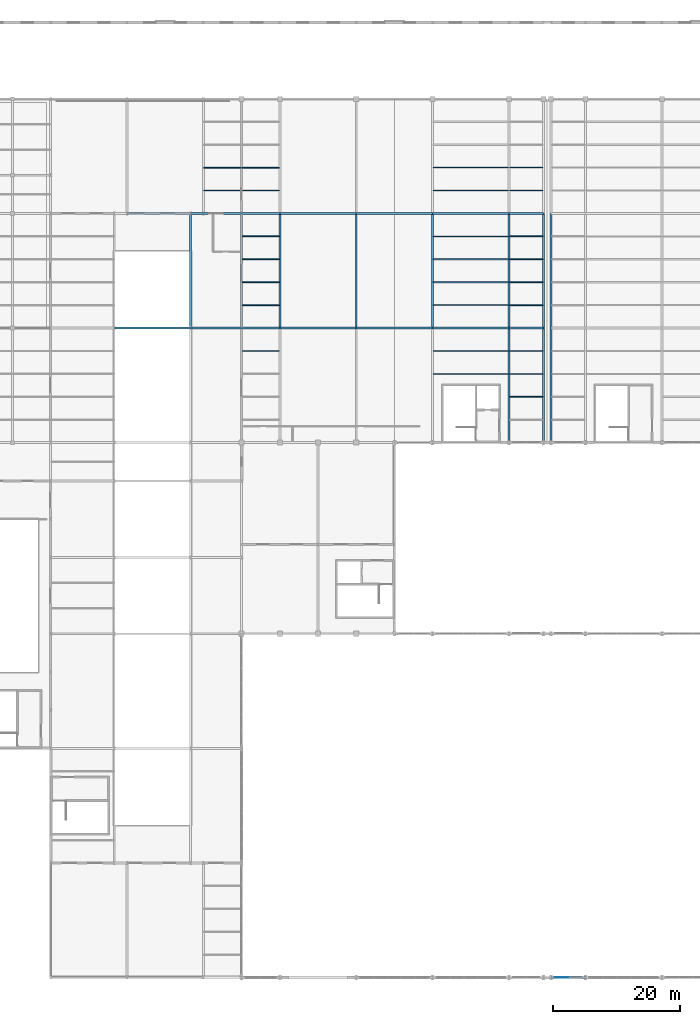
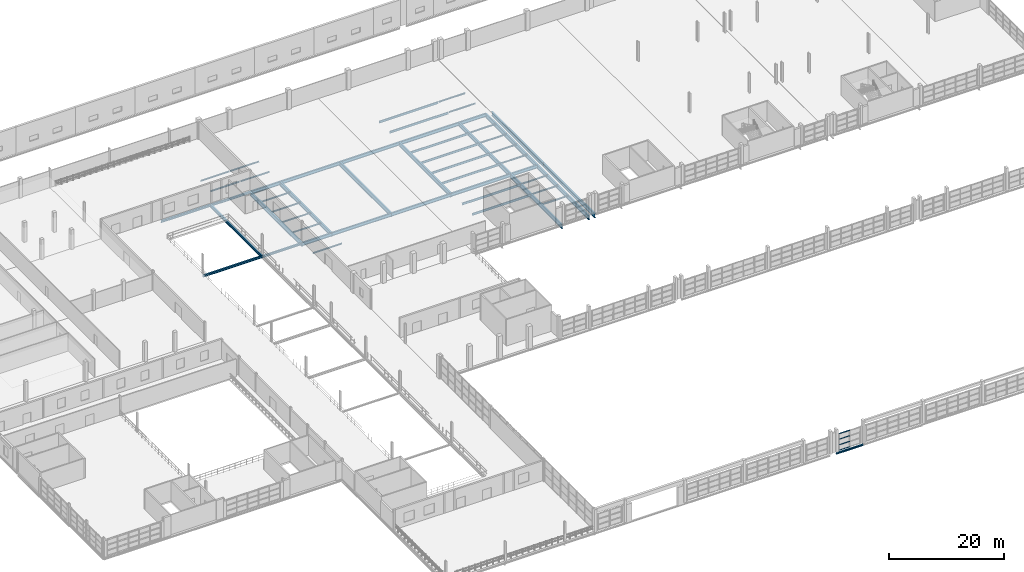
# One storey, part 69 of 147: 53 beams, 4 members, 1 element without a shape of its own.
"""IFC4 building model written with IfcOpenShell, lengths in metres."""

from ifc_helpers import new_model, si_unit, direction, frame, origin, origin_2d, place, context, subcontext, project, spatial, hollow_rectangle, i_section, extrude, material, layer, layer_set, material_profile, profile_set, type_object, element, aggregate, save


model = new_model("IFC4")

# Units and contexts
model_context = context("Model", 3, precision=1e-05, world=origin(), true_north=direction((0.0, 1.0)))
body_context = subcontext(model_context, "Body", "Model", "MODEL_VIEW")
ifc_project = project(units=[si_unit("LENGTHUNIT", "METRE"), si_unit("AREAUNIT", "SQUARE_METRE"), si_unit("VOLUMEUNIT", "CUBIC_METRE"), si_unit("PLANEANGLEUNIT", "RADIAN"), si_unit("MASSUNIT", "GRAM", prefix="KILO")], contexts=[model_context])

# Site, building, storey
site_placement = place(None, origin())
site = spatial("IfcSite", under=ifc_project, at=site_placement, CompositionType="ELEMENT")
building_placement = place(site_placement, origin())
building = spatial("IfcBuilding", under=site, at=building_placement, Name="Zilviju Railside Exhibition Hall", CompositionType="ELEMENT")
storey_placement = place(building_placement, frame((0.0, 0.0, 8.39990234375)))
storey = spatial("IfcBuildingStorey", under=building, at=storey_placement, Name="L03", CompositionType="ELEMENT", Elevation=8.39990234375)

# Beams
ifc_material_1 = material(Name="Steel S355J2", Category="steel")
ifc_material_profile_1 = material_profile(ifc_material_1, i_section(OverallWidth=0.300048828125, OverallDepth=0.2900390625, WebThickness=0.008544921875, FlangeThickness=0.013916015625, at=origin_2d()), Name="HEA 300")
ifc_profile_set_1 = profile_set([ifc_material_profile_1], Name="Steel S355J2")
beam_type_1 = type_object("IfcBeamType", Name="BM-HEA300", PredefinedType="SPANDREL", material=ifc_profile_set_1)
beam_1_placement = place(storey_placement, frame((126.60009765625, 0.0, -0.48486328125), z_axis=(1.0, 0.0, 0.0), x_axis=(0.0, 1.0, 0.0)))
element("IfcBeam", 1, at=beam_1_placement, inside=storey, type_object=beam_type_1, Name="Primary Girder L03 Y=0.0 (126.6..132.0)", PredefinedType="SPANDREL", context=body_context, shape_type="SweptSolid", body=[
    extrude(i_section(OverallWidth=0.300048828125, OverallDepth=0.2900390625, WebThickness=0.008544921875, FlangeThickness=0.013916015625, at=origin_2d()), origin(), (0.0, 0.0, 1.0), 5.39990234375),
])
ifc_material_profile_2 = material_profile(ifc_material_1, i_section(OverallWidth=0.300048828125, OverallDepth=0.449951171875, WebThickness=0.013916015625, FlangeThickness=0.02587890625, at=origin_2d()), Name="HEB 450")
ifc_profile_set_2 = profile_set([ifc_material_profile_2], Name="Steel S355J2")
beam_type_2 = type_object("IfcBeamType", Name="BM-HEB450", PredefinedType="BEAM", material=ifc_profile_set_2)
beam_2_placement = place(storey_placement, frame((58.0, 102.0, -0.574951171875), z_axis=(1.0, 0.0, 0.0), x_axis=(0.0, 1.0, 0.0)))
element("IfcBeam", 2, at=beam_2_placement, inside=storey, type_object=beam_type_2, Name="Primary Girder L03 Y=102.0 (58.0..70.0)", PredefinedType="BEAM", context=body_context, shape_type="SweptSolid", body=[
    extrude(i_section(OverallWidth=0.300048828125, OverallDepth=0.449951171875, WebThickness=0.013916015625, FlangeThickness=0.02587890625, at=origin_2d()), origin(), (0.0, 0.0, 1.0), 12.0),
])
beam_3_placement = place(storey_placement, frame((70.0, 102.0, -0.60498046875), z_axis=(1.0, 0.0, 0.0), x_axis=(0.0, 1.0, 0.0)))
element("IfcBeam", 3, at=beam_3_placement, inside=storey, type_object=beam_type_2, Name="Primary Girder L03 Y=102.0 (70.0..78.0)", PredefinedType="BEAM", context=body_context, shape_type="SweptSolid", body=[
    extrude(i_section(OverallWidth=0.300048828125, OverallDepth=0.449951171875, WebThickness=0.013916015625, FlangeThickness=0.02587890625, at=origin_2d()), origin(), (0.0, 0.0, 1.0), 8.0),
])
beam_4_placement = place(storey_placement, frame((60.0, 120.0, -0.574951171875), z_axis=(1.0, 0.0, 0.0), x_axis=(0.0, 1.0, 0.0)))
element("IfcBeam", 4, at=beam_4_placement, inside=storey, type_object=beam_type_2, Name="Primary Girder L03 Y=120.0 (60.0..70.0)", PredefinedType="BEAM", context=body_context, shape_type="SweptSolid", body=[
    extrude(i_section(OverallWidth=0.300048828125, OverallDepth=0.449951171875, WebThickness=0.013916015625, FlangeThickness=0.02587890625, at=origin_2d()), origin(), (0.0, 0.0, 1.0), 10.0),
])
beam_5_placement = place(storey_placement, frame((70.0, 120.0, -0.574951171875), z_axis=(1.0, 0.0, 0.0), x_axis=(0.0, 1.0, 0.0)))
element("IfcBeam", 5, at=beam_5_placement, inside=storey, type_object=beam_type_2, Name="Primary Girder L03 Y=120.0 (70.0..72.0)", PredefinedType="BEAM", context=body_context, shape_type="SweptSolid", body=[
    extrude(i_section(OverallWidth=0.300048828125, OverallDepth=0.449951171875, WebThickness=0.013916015625, FlangeThickness=0.02587890625, at=origin_2d()), origin(), (0.0, 0.0, 1.0), 2.0),
])
beam_6_placement = place(storey_placement, frame((72.0, 120.0, -0.60498046875), z_axis=(1.0, 0.0, 0.0), x_axis=(0.0, 1.0, 0.0)))
element("IfcBeam", 6, at=beam_6_placement, inside=storey, type_object=beam_type_2, Name="Primary Girder L03 Y=120.0 (72.0..78.0)", PredefinedType="BEAM", context=body_context, shape_type="SweptSolid", body=[
    extrude(i_section(OverallWidth=0.300048828125, OverallDepth=0.449951171875, WebThickness=0.013916015625, FlangeThickness=0.02587890625, at=origin_2d()), origin(), (0.0, 0.0, 1.0), 6.0),
])
ifc_material_profile_3 = material_profile(ifc_material_1, i_section(OverallWidth=0.300048828125, OverallDepth=0.60009765625, WebThickness=0.015380859375, FlangeThickness=0.030029296875, at=origin_2d()), Name="HEB 600")
ifc_profile_set_3 = profile_set([ifc_material_profile_3], Name="Steel S355J2")
beam_type_3 = type_object("IfcBeamType", Name="BM-HEB600", PredefinedType="BEAM", material=ifc_profile_set_3)
beam_7_placement = place(storey_placement, frame((70.0, 102.0, -0.64990234375), z_axis=(0.0, 1.0, 0.0), x_axis=(-1.0, 0.0, 0.0)))
element("IfcBeam", 7, at=beam_7_placement, inside=storey, type_object=beam_type_3, Name="Transverse Girder L03 X=70.0 (102.0..120.0)", PredefinedType="BEAM", context=body_context, shape_type="SweptSolid", body=[
    extrude(i_section(OverallWidth=0.300048828125, OverallDepth=0.60009765625, WebThickness=0.015380859375, FlangeThickness=0.030029296875, at=origin_2d()), origin(), (0.0, 0.0, 1.0), 18.0),
])
ifc_material_profile_4 = material_profile(ifc_material_1, i_section(OverallWidth=0.300048828125, OverallDepth=0.699951171875, WebThickness=0.01708984375, FlangeThickness=0.031982421875, at=origin_2d()), Name="HEB 700")
ifc_profile_set_4 = profile_set([ifc_material_profile_4], Name="Steel S355J2")
beam_type_4 = type_object("IfcBeamType", Name="BM-HEB700", PredefinedType="BEAM", material=ifc_profile_set_4)
beam_8_placement = place(storey_placement, frame((78.0, 102.0, -0.72998046875), z_axis=(1.0, 0.0, 0.0), x_axis=(0.0, 1.0, 0.0)))
element("IfcBeam", 8, at=beam_8_placement, inside=storey, type_object=beam_type_4, Name="Primary Girder L03 Y=102.0 (78.0..84.0)", PredefinedType="BEAM", context=body_context, shape_type="SweptSolid", body=[
    extrude(i_section(OverallWidth=0.300048828125, OverallDepth=0.699951171875, WebThickness=0.01708984375, FlangeThickness=0.031982421875, at=origin_2d()), origin(), (0.0, 0.0, 1.0), 6.0),
])
for number, where, z_axis, x_axis, name in (
    (9, (84.0, 102.0, -0.72998046875), (1.0, 0.0, 0.0), (0.0, 1.0, 0.0), "Primary Girder L03 Y=102.0 (84.0..96.0)"),
    (10, (96.0, 102.0, -0.72998046875), (1.0, 0.0, 0.0), (0.0, 1.0, 0.0), "Primary Girder L03 Y=102.0 (96.0..108.0)"),
    (11, (108.0, 102.0, -0.72998046875), (1.0, 0.0, 0.0), (0.0, 1.0, 0.0), "Primary Girder L03 Y=102.0 (108.0..120.0)"),
):
    element("IfcBeam", number, at=place(storey_placement, frame(where, z_axis=z_axis, x_axis=x_axis)), inside=storey, type_object=beam_type_4, Name=name, PredefinedType="BEAM", context=body_context, shape_type="SweptSolid", body=[
        extrude(i_section(OverallWidth=0.300048828125, OverallDepth=0.699951171875, WebThickness=0.01708984375, FlangeThickness=0.031982421875, at=origin_2d()), origin(), (0.0, 0.0, 1.0), 12.0),
    ])
beam_9_placement = place(storey_placement, frame((120.0, 102.0, -0.72998046875), z_axis=(1.0, 0.0, 0.0), x_axis=(0.0, 1.0, 0.0)))
element("IfcBeam", 12, at=beam_9_placement, inside=storey, type_object=beam_type_4, Name="Primary Girder L03 Y=102.0 (120.0..125.4)", PredefinedType="BEAM", context=body_context, shape_type="SweptSolid", body=[
    extrude(i_section(OverallWidth=0.300048828125, OverallDepth=0.699951171875, WebThickness=0.01708984375, FlangeThickness=0.031982421875, at=origin_2d()), origin(), (0.0, 0.0, 1.0), 5.39990234375),
])
beam_10_placement = place(storey_placement, frame((78.0, 120.0, -0.72998046875), z_axis=(1.0, 0.0, 0.0), x_axis=(0.0, 1.0, 0.0)))
element("IfcBeam", 13, at=beam_10_placement, inside=storey, type_object=beam_type_4, Name="Primary Girder L03 Y=120.0 (78.0..84.0)", PredefinedType="BEAM", context=body_context, shape_type="SweptSolid", body=[
    extrude(i_section(OverallWidth=0.300048828125, OverallDepth=0.699951171875, WebThickness=0.01708984375, FlangeThickness=0.031982421875, at=origin_2d()), origin(), (0.0, 0.0, 1.0), 6.0),
])
for number, where, z_axis, x_axis, name in (
    (14, (84.0, 120.0, -0.72998046875), (1.0, 0.0, 0.0), (0.0, 1.0, 0.0), "Primary Girder L03 Y=120.0 (84.0..96.0)"),
    (15, (96.0, 120.0, -0.72998046875), (1.0, 0.0, 0.0), (0.0, 1.0, 0.0), "Primary Girder L03 Y=120.0 (96.0..108.0)"),
    (16, (108.0, 120.0, -0.72998046875), (1.0, 0.0, 0.0), (0.0, 1.0, 0.0), "Primary Girder L03 Y=120.0 (108.0..120.0)"),
):
    element("IfcBeam", number, at=place(storey_placement, frame(where, z_axis=z_axis, x_axis=x_axis)), inside=storey, type_object=beam_type_4, Name=name, PredefinedType="BEAM", context=body_context, shape_type="SweptSolid", body=[
        extrude(i_section(OverallWidth=0.300048828125, OverallDepth=0.699951171875, WebThickness=0.01708984375, FlangeThickness=0.031982421875, at=origin_2d()), origin(), (0.0, 0.0, 1.0), 12.0),
    ])
beam_11_placement = place(storey_placement, frame((120.0, 120.0, -0.72998046875), z_axis=(1.0, 0.0, 0.0), x_axis=(0.0, 1.0, 0.0)))
element("IfcBeam", 17, at=beam_11_placement, inside=storey, type_object=beam_type_4, Name="Primary Girder L03 Y=120.0 (120.0..125.4)", PredefinedType="BEAM", context=body_context, shape_type="SweptSolid", body=[
    extrude(i_section(OverallWidth=0.300048828125, OverallDepth=0.699951171875, WebThickness=0.01708984375, FlangeThickness=0.031982421875, at=origin_2d()), origin(), (0.0, 0.0, 1.0), 5.39990234375),
])
ifc_material_profile_5 = material_profile(ifc_material_1, i_section(OverallWidth=0.300048828125, OverallDepth=0.89990234375, WebThickness=0.0185546875, FlangeThickness=0.034912109375, at=origin_2d()), Name="HEB 900")
ifc_profile_set_5 = profile_set([ifc_material_profile_5], Name="Steel S355J2")
beam_type_5 = type_object("IfcBeamType", Name="BM-HEB900", PredefinedType="BEAM", material=ifc_profile_set_5)
for number, where, z_axis, x_axis, name in (
    (18, (78.0, 102.0, -0.829833984375), (0.0, 1.0, 0.0), (-1.0, 0.0, 0.0), "Transverse Girder L03 X=78.0 (102.0..120.0)"),
    (19, (84.0, 102.0, -0.829833984375), (0.0, 1.0, 0.0), (-1.0, 0.0, 0.0), "Transverse Girder L03 X=84.0 (102.0..120.0)"),
    (20, (96.0, 102.0, -0.829833984375), (0.0, 1.0, 0.0), (-1.0, 0.0, 0.0), "Transverse Girder L03 X=96.0 (102.0..120.0)"),
    (21, (108.0, 102.0, -0.829833984375), (0.0, 1.0, 0.0), (-1.0, 0.0, 0.0), "Transverse Girder L03 X=108.0 (102.0..120.0)"),
    (22, (120.0, 84.0, -0.829833984375), (0.0, 1.0, 0.0), (-1.0, 0.0, 0.0), "Transverse Girder L03 X=120.0 (84.0..102.0)"),
    (23, (120.0, 102.0, -0.829833984375), (0.0, 1.0, 0.0), (-1.0, 0.0, 0.0), "Transverse Girder L03 X=120.0 (102.0..120.0)"),
    (24, (125.39990234375, 84.0, -0.829833984375), (0.0, 1.0, 0.0), (-1.0, 0.0, 0.0), "Transverse Girder L03 X=125.4 (84.0..102.0)"),
    (25, (125.39990234375, 102.0, -0.829833984375), (0.0, 1.0, 0.0), (-1.0, 0.0, 0.0), "Transverse Girder L03 X=125.4 (102.0..120.0)"),
    (26, (126.60009765625, 84.0, -0.829833984375), (0.0, 1.0, 0.0), (-1.0, 0.0, 0.0), "Transverse Girder L03 X=126.6 (84.0..102.0)"),
    (27, (126.60009765625, 102.0, -0.829833984375), (0.0, 1.0, 0.0), (-1.0, 0.0, 0.0), "Transverse Girder L03 X=126.6 (102.0..120.0)"),
):
    element("IfcBeam", number, at=place(storey_placement, frame(where, z_axis=z_axis, x_axis=x_axis)), inside=storey, type_object=beam_type_5, Name=name, PredefinedType="BEAM", context=body_context, shape_type="SweptSolid", body=[
        extrude(i_section(OverallWidth=0.300048828125, OverallDepth=0.89990234375, WebThickness=0.0185546875, FlangeThickness=0.034912109375, at=origin_2d()), origin(), (0.0, 0.0, 1.0), 18.0),
    ])
ifc_material_profile_6 = material_profile(ifc_material_1, i_section(OverallWidth=0.1201171875, OverallDepth=0.239990234375, WebThickness=0.006103515625, FlangeThickness=0.009765625, at=origin_2d()), Name="IPE 240")
ifc_profile_set_6 = profile_set([ifc_material_profile_6], Name="Steel S355J2")
beam_type_6 = type_object("IfcBeamType", Name="BM-IPE240", PredefinedType="JOIST", material=ifc_profile_set_6)
for number, where, z_axis, x_axis, name in (
    (28, (120.080078125, 91.199951171875, -0.5), (1.0, 0.0, 0.0), (0.0, 1.0, 0.0), "Composite Floor Joist L03 Y=91.20 (120.0..125.4)"),
    (29, (120.080078125, 94.800048828125, -0.5), (1.0, 0.0, 0.0), (0.0, 1.0, 0.0), "Composite Floor Joist L03 Y=94.80 (120.0..125.4)"),
    (30, (120.080078125, 98.39990234375, -0.5), (1.0, 0.0, 0.0), (0.0, 1.0, 0.0), "Composite Floor Joist L03 Y=98.40 (120.0..125.4)"),
    (31, (120.080078125, 105.60009765625, -0.5), (1.0, 0.0, 0.0), (0.0, 1.0, 0.0), "Composite Floor Joist L03 Y=105.60 (120.0..125.4)"),
    (32, (120.080078125, 109.199951171875, -0.5), (1.0, 0.0, 0.0), (0.0, 1.0, 0.0), "Composite Floor Joist L03 Y=109.20 (120.0..125.4)"),
    (33, (120.080078125, 112.800048828125, -0.5), (1.0, 0.0, 0.0), (0.0, 1.0, 0.0), "Composite Floor Joist L03 Y=112.80 (120.0..125.4)"),
    (34, (120.080078125, 116.39990234375, -0.5), (1.0, 0.0, 0.0), (0.0, 1.0, 0.0), "Composite Floor Joist L03 Y=116.40 (120.0..125.4)"),
    (35, (120.080078125, 123.60009765625, -0.5), (1.0, 0.0, 0.0), (0.0, 1.0, 0.0), "Composite Floor Joist L03 Y=123.60 (120.0..125.4)"),
    (36, (120.080078125, 127.199951171875, -0.5), (1.0, 0.0, 0.0), (0.0, 1.0, 0.0), "Composite Floor Joist L03 Y=127.20 (120.0..125.4)"),
):
    element("IfcBeam", number, at=place(storey_placement, frame(where, z_axis=z_axis, x_axis=x_axis)), inside=storey, type_object=beam_type_6, Name=name, PredefinedType="JOIST", context=body_context, shape_type="SweptSolid", body=[
        extrude(i_section(OverallWidth=0.1201171875, OverallDepth=0.239990234375, WebThickness=0.006103515625, FlangeThickness=0.009765625, at=origin_2d()), origin(), (0.0, 0.0, 1.0), 5.239990234375),
    ])
ifc_material_profile_7 = material_profile(ifc_material_1, i_section(OverallWidth=0.14990234375, OverallDepth=0.300048828125, WebThickness=0.007080078125, FlangeThickness=0.0107421875, at=origin_2d()), Name="IPE 300")
ifc_profile_set_7 = profile_set([ifc_material_profile_7], Name="Steel S355J2")
beam_type_7 = type_object("IfcBeamType", Name="BM-IPE300", PredefinedType="JOIST", material=ifc_profile_set_7)
for number, where, z_axis, x_axis, name in (
    (37, (72.080078125, 123.60009765625, -0.52978515625), (1.0, 0.0, 0.0), (0.0, 1.0, 0.0), "Composite Floor Joist L03 Y=123.60 (72.0..78.0)"),
    (38, (72.080078125, 127.199951171875, -0.52978515625), (1.0, 0.0, 0.0), (0.0, 1.0, 0.0), "Composite Floor Joist L03 Y=127.20 (72.0..78.0)"),
    (39, (78.080078125, 98.39990234375, -0.52978515625), (1.0, 0.0, 0.0), (0.0, 1.0, 0.0), "Composite Floor Joist L03 Y=98.40 (78.0..84.0)"),
    (40, (78.080078125, 105.60009765625, -0.52978515625), (1.0, 0.0, 0.0), (0.0, 1.0, 0.0), "Composite Floor Joist L03 Y=105.60 (78.0..84.0)"),
    (41, (78.080078125, 109.199951171875, -0.52978515625), (1.0, 0.0, 0.0), (0.0, 1.0, 0.0), "Composite Floor Joist L03 Y=109.20 (78.0..84.0)"),
    (42, (78.080078125, 112.800048828125, -0.52978515625), (1.0, 0.0, 0.0), (0.0, 1.0, 0.0), "Composite Floor Joist L03 Y=112.80 (78.0..84.0)"),
    (43, (78.080078125, 116.39990234375, -0.52978515625), (1.0, 0.0, 0.0), (0.0, 1.0, 0.0), "Composite Floor Joist L03 Y=116.40 (78.0..84.0)"),
    (44, (78.080078125, 123.60009765625, -0.52978515625), (1.0, 0.0, 0.0), (0.0, 1.0, 0.0), "Composite Floor Joist L03 Y=123.60 (78.0..84.0)"),
    (45, (78.080078125, 127.199951171875, -0.52978515625), (1.0, 0.0, 0.0), (0.0, 1.0, 0.0), "Composite Floor Joist L03 Y=127.20 (78.0..84.0)"),
):
    element("IfcBeam", number, at=place(storey_placement, frame(where, z_axis=z_axis, x_axis=x_axis)), inside=storey, type_object=beam_type_7, Name=name, PredefinedType="JOIST", context=body_context, shape_type="SweptSolid", body=[
        extrude(i_section(OverallWidth=0.14990234375, OverallDepth=0.300048828125, WebThickness=0.007080078125, FlangeThickness=0.0107421875, at=origin_2d()), origin(), (0.0, 0.0, 1.0), 5.83984375),
    ])
ifc_material_profile_8 = material_profile(ifc_material_1, i_section(OverallWidth=0.18994140625, OverallDepth=0.449951171875, WebThickness=0.009521484375, FlangeThickness=0.0146484375, at=origin_2d()), Name="IPE 450")
ifc_profile_set_8 = profile_set([ifc_material_profile_8], Name="Steel S355J2")
beam_type_8 = type_object("IfcBeamType", Name="BM-IPE450", PredefinedType="JOIST", material=ifc_profile_set_8)
for number, where, z_axis, x_axis, name in (
    (46, (108.080078125, 94.800048828125, -0.60498046875), (1.0, 0.0, 0.0), (0.0, 1.0, 0.0), "Composite Floor Joist L03 Y=94.80 (108.0..120.0)"),
    (47, (108.080078125, 98.39990234375, -0.60498046875), (1.0, 0.0, 0.0), (0.0, 1.0, 0.0), "Composite Floor Joist L03 Y=98.40 (108.0..120.0)"),
    (48, (108.080078125, 105.60009765625, -0.60498046875), (1.0, 0.0, 0.0), (0.0, 1.0, 0.0), "Composite Floor Joist L03 Y=105.60 (108.0..120.0)"),
    (49, (108.080078125, 109.199951171875, -0.60498046875), (1.0, 0.0, 0.0), (0.0, 1.0, 0.0), "Composite Floor Joist L03 Y=109.20 (108.0..120.0)"),
    (50, (108.080078125, 112.800048828125, -0.60498046875), (1.0, 0.0, 0.0), (0.0, 1.0, 0.0), "Composite Floor Joist L03 Y=112.80 (108.0..120.0)"),
    (51, (108.080078125, 116.39990234375, -0.60498046875), (1.0, 0.0, 0.0), (0.0, 1.0, 0.0), "Composite Floor Joist L03 Y=116.40 (108.0..120.0)"),
    (52, (108.080078125, 123.60009765625, -0.60498046875), (1.0, 0.0, 0.0), (0.0, 1.0, 0.0), "Composite Floor Joist L03 Y=123.60 (108.0..120.0)"),
    (53, (108.080078125, 127.199951171875, -0.60498046875), (1.0, 0.0, 0.0), (0.0, 1.0, 0.0), "Composite Floor Joist L03 Y=127.20 (108.0..120.0)"),
):
    element("IfcBeam", number, at=place(storey_placement, frame(where, z_axis=z_axis, x_axis=x_axis)), inside=storey, type_object=beam_type_8, Name=name, PredefinedType="JOIST", context=body_context, shape_type="SweptSolid", body=[
        extrude(i_section(OverallWidth=0.18994140625, OverallDepth=0.449951171875, WebThickness=0.009521484375, FlangeThickness=0.0146484375, at=origin_2d()), origin(), (0.0, 0.0, 1.0), 11.83984375),
    ])

# Curtain wall, members
ifc_material_2 = material(Name="Thermally broken aluminium-steel triple-glazed curtain wall", Category="steel")
ifc_layer = layer(ifc_material_2, 0.179931640625)
ifc_layer_set = layer_set([ifc_layer], Name="Thermally broken aluminium-steel triple-glazed curtain wall")
curtain_wall_type = type_object("IfcCurtainWallType", Name="CW-BAY-16", PredefinedType="USERDEFINED", material=ifc_layer_set)
curtain_wall_placement = place(storey_placement, origin())
curtain_wall = element("IfcCurtainWall", 54, at=curtain_wall_placement, inside=storey, type_object=curtain_wall_type, Name="South Hall Facade Curtain Wall L03 (127..132)", ObjectType="GLAZED CURTAIN WALL", PredefinedType="USERDEFINED")
ifc_material_3 = material(Name="Thermally broken anodized aluminium transom", Category="aluminium")
ifc_material_profile_9 = material_profile(ifc_material_3, hollow_rectangle(XDim=0.054931640625, YDim=0.10498046875, WallThickness=0.0048828125, at=origin_2d()), Name="TRANSOM 105x55x5")
ifc_profile_set_9 = profile_set([ifc_material_profile_9], Name="Thermally broken anodized aluminium transom")
member_type = type_object("IfcMemberType", Name="CWT-55x105", PredefinedType="USERDEFINED", material=ifc_profile_set_9)
member_1_placement = place(storey_placement, frame((129.2724609375, 0.0, 0.027587890625), z_axis=(-1.0, 0.0, 0.0), x_axis=(0.0, -1.0, 0.0)))
member_1 = element("IfcMember", 55, at=member_1_placement, type_object=member_type, Name="CW-16 transom 2.1", ObjectType="TRANSOM", PredefinedType="USERDEFINED", context=body_context, shape_type="SweptSolid", body=[
    extrude(hollow_rectangle(XDim=0.054931640625, YDim=0.10498046875, WallThickness=0.0048828125, at=origin_2d()), origin(), (0.0, 0.0, 1.0), 2.0673828125),
])
member_2_placement = place(storey_placement, frame((129.2724609375, 0.0, 1.18701171875), z_axis=(-1.0, 0.0, 0.0), x_axis=(0.0, -1.0, 0.0)))
member_2 = element("IfcMember", 56, at=member_2_placement, type_object=member_type, Name="CW-16 transom 2.2", ObjectType="TRANSOM", PredefinedType="USERDEFINED", context=body_context, shape_type="SweptSolid", body=[
    extrude(hollow_rectangle(XDim=0.054931640625, YDim=0.10498046875, WallThickness=0.0048828125, at=origin_2d()), origin(), (0.0, 0.0, 1.0), 2.0673828125),
])
member_3_placement = place(storey_placement, frame((129.2724609375, 0.0, 2.373046875), z_axis=(-1.0, 0.0, 0.0), x_axis=(0.0, -1.0, 0.0)))
member_3 = element("IfcMember", 57, at=member_3_placement, type_object=member_type, Name="CW-16 transom 2.3", ObjectType="TRANSOM", PredefinedType="USERDEFINED", context=body_context, shape_type="SweptSolid", body=[
    extrude(hollow_rectangle(XDim=0.054931640625, YDim=0.10498046875, WallThickness=0.0048828125, at=origin_2d()), origin(), (0.0, 0.0, 1.0), 2.0673828125),
])
member_4_placement = place(storey_placement, frame((129.2724609375, 0.0, 3.53271484375), z_axis=(-1.0, 0.0, 0.0), x_axis=(0.0, -1.0, 0.0)))
member_4 = element("IfcMember", 58, at=member_4_placement, type_object=member_type, Name="CW-16 transom 2.4", ObjectType="TRANSOM", PredefinedType="USERDEFINED", context=body_context, shape_type="SweptSolid", body=[
    extrude(hollow_rectangle(XDim=0.054931640625, YDim=0.10498046875, WallThickness=0.0048828125, at=origin_2d()), origin(), (0.0, 0.0, 1.0), 2.0673828125),
])
aggregate(curtain_wall, [member_1, member_2, member_3, member_4])

save(model, "model.ifc")
